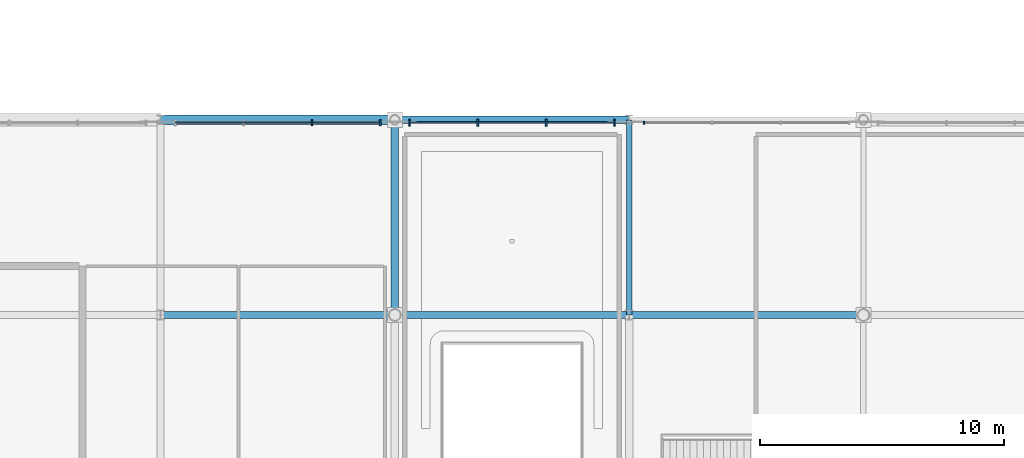
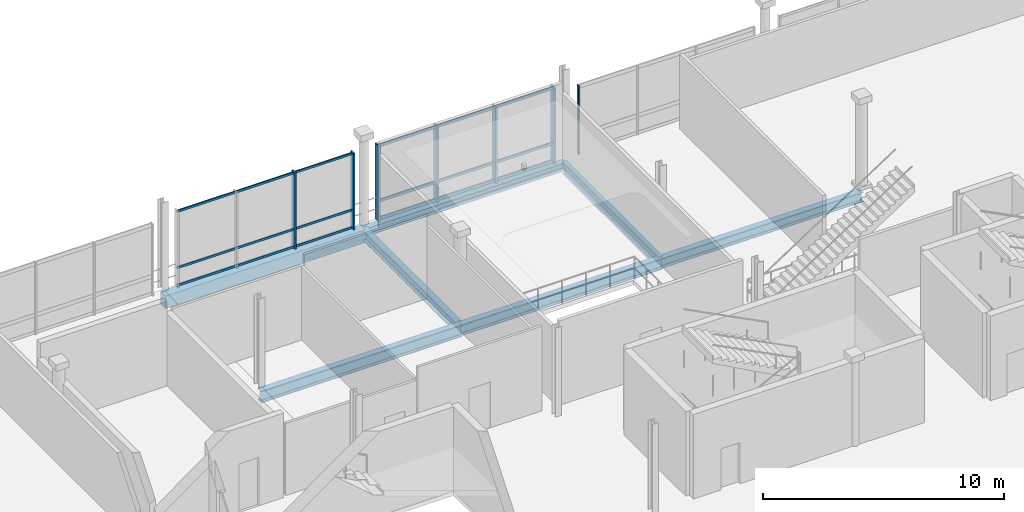
# One storey, part 25 of 59: 13 members, 7 beams, 3 elements without a shape of their own.
"""IFC4 building model written with IfcOpenShell, lengths in metres."""

import ifcopenshell
import ifcopenshell.guid

model = None  # the IFC model being written
_history = None  # IfcOwnerHistory: only IFC2X3 demands one
_inside = {}  # id of a spatial element -> (the spatial element, [elements in it])
_under = {}  # id of a project, library or spatial element -> (it, [spatial elements below it])
_declared = {}  # id of a project -> (the project, [libraries it declares])
_typed = {}  # id of a type object -> (the type object, [elements of that type])
_made_of = {}  # id of a material, layer set ... -> (it, [elements and type objects made of it])


def new_model(schema):
    """Start an empty IFC model of exactly this schema.

    Asked for "IFC4X3", IfcOpenShell would pick the latest addendum, in which some entities
    have other attributes; the version numbers below select the first issue.
    IFC2X3 requires an IfcOwnerHistory on every rooted entity: one is made here for all.
    """
    global model, _history
    if schema == "IFC4X3":
        model = ifcopenshell.file(schema_version=(4, 3, 0, 0))
    else:
        model = ifcopenshell.file(schema=schema)
    _inside.clear()
    _under.clear()
    _declared.clear()
    _typed.clear()
    _made_of.clear()
    _history = None
    if model.schema == "IFC2X3":
        org = make("IfcOrganization", Name="unknown")
        user = make(
            "IfcPersonAndOrganization",
            ThePerson=make("IfcPerson", FamilyName="unknown"),
            TheOrganization=org,
        )
        app = make(
            "IfcApplication",
            ApplicationDeveloper=org,
            Version="unknown",
            ApplicationFullName="unknown",
            ApplicationIdentifier="unknown",
        )
        _history = make(
            "IfcOwnerHistory",
            OwningUser=user,
            OwningApplication=app,
            ChangeAction="ADDED",
            CreationDate=0,
        )
    return model


def make(cls, **values):
    """One entity of the class cls with the attributes given. An attribute that is None is left unset."""
    return model.create_entity(
        cls, **{name: value for name, value in values.items() if value is not None}
    )


def rooted(cls, **values):
    """An entity with a GlobalId (a new one), such as an element, a storey or a relation."""
    return make(cls, GlobalId=ifcopenshell.guid.new(), OwnerHistory=_history, **values)


def si_unit(unit_type, name, prefix=None):
    """IfcSIUnit, for example si_unit("LENGTHUNIT", "METRE", prefix="MILLI")."""
    return make("IfcSIUnit", UnitType=unit_type, Prefix=prefix, Name=name)


def assignment(units):
    """IfcUnitAssignment: the units of a project."""
    return None if units is None else make("IfcUnitAssignment", Units=units)


def point(xyz):
    """IfcCartesianPoint."""
    return None if xyz is None else make("IfcCartesianPoint", Coordinates=xyz)


def direction(xyz):
    """IfcDirection."""
    return None if xyz is None else make("IfcDirection", DirectionRatios=xyz)


def frame(location, z_axis=None, x_axis=None):
    """IfcAxis2Placement3D, a coordinate frame: its origin and axes. An axis left out is left unset."""
    return make(
        "IfcAxis2Placement3D",
        Location=point(location),
        Axis=direction(z_axis),
        RefDirection=direction(x_axis),
    )


def frame_2d(location, x_axis=None):
    """IfcAxis2Placement2D, a coordinate frame in the plane: its origin and x axis."""
    return make(
        "IfcAxis2Placement2D", Location=point(location), RefDirection=direction(x_axis)
    )


def origin():
    """The frame at (0, 0, 0) with its axes left unset."""
    return frame((0.0, 0.0, 0.0))


def origin_2d():
    """The frame at (0, 0) in the plane with its x axis left unset."""
    return frame_2d((0.0, 0.0))


def place(relative_to, where):
    """IfcLocalPlacement: puts the frame where relative to a parent placement (None: the world)."""
    return make(
        "IfcLocalPlacement", PlacementRelTo=relative_to, RelativePlacement=where
    )


def context(
    kind, dimensions, precision=None, world=None, true_north=None, identifier=None
):
    """IfcGeometricRepresentationContext, for example the 3D "Model" context."""
    return make(
        "IfcGeometricRepresentationContext",
        ContextIdentifier=identifier,
        ContextType=kind,
        CoordinateSpaceDimension=dimensions,
        Precision=precision,
        WorldCoordinateSystem=world,
        TrueNorth=true_north,
    )


def subcontext(parent, identifier, kind, view, scale=None):
    """IfcGeometricRepresentationSubContext, for example "Body" below "Model"."""
    return make(
        "IfcGeometricRepresentationSubContext",
        ContextIdentifier=identifier,
        ContextType=kind,
        ParentContext=parent,
        TargetScale=scale,
        TargetView=view,
    )


def project(units=None, contexts=None):
    """IfcProject with its units and contexts."""
    return rooted(
        "IfcProject",
        Name="project",
        RepresentationContexts=contexts,
        UnitsInContext=assignment(units),
    )


def spatial(cls, under=None, at=None, **own):
    """A site, building, storey or space (cls), placed at a placement, below another one or the project."""
    s = rooted(cls, ObjectPlacement=at, **own)
    if under is not None:
        _under.setdefault(under.id(), (under, []))[1].append(s)
    return s


def profile(cls, at=None, kind="AREA", **sizes):
    """A parametric profile (cls). Its sizes go by their IFC names, for example OverallWidth=200.0."""
    return make(cls, ProfileType=kind, Position=at, **sizes)


def rectangle(**sizes):
    """IfcRectangleProfileDef."""
    return profile("IfcRectangleProfileDef", **sizes)


def i_section(**sizes):
    """IfcIShapeProfileDef."""
    return profile("IfcIShapeProfileDef", **sizes)


def extrude(swept, where, along, depth):
    """IfcExtrudedAreaSolid: the profile swept, set in the frame where, extruded along a direction by depth."""
    return make(
        "IfcExtrudedAreaSolid",
        SweptArea=swept,
        Position=where,
        ExtrudedDirection=direction(along),
        Depth=depth,
    )


def shape(context_of_items, identifier, shape_type, items):
    """IfcShapeRepresentation: the items that make up one representation, for example the "Body"."""
    return make(
        "IfcShapeRepresentation",
        ContextOfItems=context_of_items,
        RepresentationIdentifier=identifier,
        RepresentationType=shape_type,
        Items=items,
    )


def material(Name=None, Category=None):
    """IfcMaterial."""
    return make("IfcMaterial", Name=Name, Category=Category)


def material_profile(
    of_material, cross_section, Name=None, Category=None, Priority=None
):
    """IfcMaterialProfile: a cross section and its material."""
    return make(
        "IfcMaterialProfile",
        Name=Name,
        Material=of_material,
        Profile=cross_section,
        Priority=Priority,
        Category=Category,
    )


def profile_set(profiles, Name=None, composite=None):
    """IfcMaterialProfileSet."""
    return make(
        "IfcMaterialProfileSet",
        Name=Name,
        MaterialProfiles=profiles,
        CompositeProfile=composite,
    )


def made_of(thing, what):
    """Note that an element or type object is made of a material, layer set ...; save() writes the relation."""
    if what is not None:
        _made_of.setdefault(what.id(), (what, []))[1].append(thing)
    return thing


def type_object(cls, material=None, **own):
    """A type object (cls), such as IfcWallType, which elements share."""
    return made_of(rooted(cls, **own), material)


def element(
    cls,
    number,
    at=None,
    inside=None,
    cuts=None,
    type_object=None,
    material=None,
    context=None,
    identifier="Body",
    shape_type=None,
    held_by="IfcProductDefinitionShape",
    body=None,
    shapes=None,
    **own,
):
    """One element of the class cls, such as IfcWall. Its Tag is "e" and its number.

    at: its placement. inside: the storey or other place that contains it. cuts: it is an
    opening in that element (IfcRelVoidsElement). A single representation is given by context,
    identifier, shape_type and body (its items); several are given by shapes. held_by: the class
    of the entity that holds the representations. save() writes the other relations.
    """
    e = rooted(cls, Tag="e%d" % number, ObjectPlacement=at, **own)
    if body is not None:
        shapes = [shape(context, identifier, shape_type, body)]
    if shapes is not None:
        e.Representation = make(held_by, Representations=shapes)
    if inside is not None:
        _inside.setdefault(inside.id(), (inside, []))[1].append(e)
    if cuts is not None:
        rooted(
            "IfcRelVoidsElement", RelatingBuildingElement=cuts, RelatedOpeningElement=e
        )
    if type_object is not None:
        _typed.setdefault(type_object.id(), (type_object, []))[1].append(e)
    return made_of(e, material)


def aggregate(whole, parts):
    """IfcRelAggregates: a whole, such as a stair, and the parts it consists of."""
    return rooted("IfcRelAggregates", RelatingObject=whole, RelatedObjects=parts)


def save(model, path):
    """Write the relations noted so far, then the file.

    IfcRelAggregates (storeys below a building ...), IfcRelContainedInSpatialStructure (elements
    in a storey), IfcRelDefinesByType, IfcRelAssociatesMaterial and IfcRelDeclares: one each for
    every whole, place, type object, material and project.
    """
    for whole, parts in _under.values():
        aggregate(whole, parts)
    for where, things in _inside.values():
        rooted(
            "IfcRelContainedInSpatialStructure",
            RelatedElements=things,
            RelatingStructure=where,
        )
    for kind, things in _typed.values():
        rooted("IfcRelDefinesByType", RelatedObjects=things, RelatingType=kind)
    for what, things in _made_of.values():
        rooted("IfcRelAssociatesMaterial", RelatedObjects=things, RelatingMaterial=what)
    for by, libraries in _declared.values():
        rooted("IfcRelDeclares", RelatingContext=by, RelatedDefinitions=libraries)
    model.write(path)


model = new_model("IFC4")

# Units and contexts
model_context = context("Model", 3, precision=1e-05, world=origin(), true_north=direction((0.0, 1.0)))
body_context = subcontext(model_context, "Body", "Model", "MODEL_VIEW")
ifc_project = project(units=[si_unit("LENGTHUNIT", "METRE"), si_unit("AREAUNIT", "SQUARE_METRE"), si_unit("VOLUMEUNIT", "CUBIC_METRE"), si_unit("PLANEANGLEUNIT", "RADIAN"), si_unit("MASSUNIT", "GRAM", prefix="KILO")], contexts=[model_context])

# Site, building, storey
site_placement = place(None, origin())
site = spatial("IfcSite", under=ifc_project, at=site_placement, CompositionType="ELEMENT")
building_placement = place(site_placement, origin())
building = spatial("IfcBuilding", under=site, at=building_placement, Name="Danafjord Basin Convention Centre", CompositionType="ELEMENT")
storey_placement = place(building_placement, frame((0.0, 0.0, 15.89990234375)))
storey = spatial("IfcBuildingStorey", under=building, at=storey_placement, Name="L03", CompositionType="ELEMENT", Elevation=15.89990234375)

# Beams
ifc_material_1 = material(Name="Steel S355", Category="steel")
ifc_material_profile_1 = material_profile(ifc_material_1, i_section(OverallWidth=0.300048828125, OverallDepth=0.5, WebThickness=0.014404296875, FlangeThickness=0.028076171875, FilletRadius=0.027099609375, at=origin_2d()), Name="HEB 500")
ifc_profile_set_1 = profile_set([ifc_material_profile_1], Name="Steel S355")
beam_type_1 = type_object("IfcBeamType", Name="BEAM-BM-HEB500", PredefinedType="BEAM", material=ifc_profile_set_1)
beam_1_placement = place(storey_placement, frame((76.800048828125, 32.0, -0.47998046875), z_axis=(1.0, 0.0, 0.0), x_axis=(0.0, 1.0, 0.0)))
element("IfcBeam", 1, at=beam_1_placement, inside=storey, type_object=beam_type_1, Name="L03 girder BM-HEB500", PredefinedType="BEAM", context=body_context, shape_type="SweptSolid", body=[
    extrude(i_section(OverallWidth=0.300048828125, OverallDepth=0.5, WebThickness=0.014404296875, FlangeThickness=0.028076171875, FilletRadius=0.027099609375, at=origin_2d()), origin(), (0.0, 0.0, 1.0), 9.599853515625),
])
beam_2_placement = place(storey_placement, frame((67.199951171875, 32.0, -0.47998046875), z_axis=(0.0, 1.0, 0.0), x_axis=(-1.0, 0.0, 0.0)))
element("IfcBeam", 2, at=beam_2_placement, inside=storey, type_object=beam_type_1, Name="L03 transverse girder BM-HEB500", PredefinedType="BEAM", context=body_context, shape_type="SweptSolid", body=[
    extrude(i_section(OverallWidth=0.300048828125, OverallDepth=0.5, WebThickness=0.014404296875, FlangeThickness=0.028076171875, FilletRadius=0.027099609375, at=origin_2d()), origin(), (0.0, 0.0, 1.0), 8.0),
])
ifc_material_profile_2 = material_profile(ifc_material_1, i_section(OverallWidth=0.300048828125, OverallDepth=0.550048828125, WebThickness=0.014892578125, FlangeThickness=0.029052734375, FilletRadius=0.027099609375, at=origin_2d()), Name="HEB 550")
ifc_profile_set_2 = profile_set([ifc_material_profile_2], Name="Steel S355")
beam_type_2 = type_object("IfcBeamType", Name="BEAM-BM-HEB550", PredefinedType="BEAM", material=ifc_profile_set_2)
beam_3_placement = place(storey_placement, frame((67.199951171875, 32.0, -0.5048828125), z_axis=(1.0, 0.0, 0.0), x_axis=(0.0, 1.0, 0.0)))
element("IfcBeam", 3, at=beam_3_placement, inside=storey, type_object=beam_type_2, Name="L03 girder BM-HEB550", PredefinedType="BEAM", context=body_context, shape_type="SweptSolid", body=[
    extrude(i_section(OverallWidth=0.300048828125, OverallDepth=0.550048828125, WebThickness=0.014892578125, FlangeThickness=0.029052734375, FilletRadius=0.027099609375, at=origin_2d()), origin(), (0.0, 0.0, 1.0), 9.60009765625),
])
ifc_material_profile_3 = material_profile(ifc_material_1, i_section(OverallWidth=0.300048828125, OverallDepth=0.60009765625, WebThickness=0.015380859375, FlangeThickness=0.030029296875, FilletRadius=0.027099609375, at=origin_2d()), Name="HEB 600")
ifc_profile_set_3 = profile_set([ifc_material_profile_3], Name="Steel S355")
beam_type_3 = type_object("IfcBeamType", Name="BEAM-BM-HEB600", PredefinedType="BEAM", material=ifc_profile_set_3)
beam_4_placement = place(storey_placement, frame((57.60009765625, 32.0, -0.52978515625), z_axis=(1.0, 0.0, 0.0), x_axis=(0.0, 1.0, 0.0)))
element("IfcBeam", 4, at=beam_4_placement, inside=storey, type_object=beam_type_3, Name="L03 girder BM-HEB600", PredefinedType="BEAM", context=body_context, shape_type="SweptSolid", body=[
    extrude(i_section(OverallWidth=0.300048828125, OverallDepth=0.60009765625, WebThickness=0.015380859375, FlangeThickness=0.030029296875, FilletRadius=0.027099609375, at=origin_2d()), origin(), (0.0, 0.0, 1.0), 9.599853515625),
])
ifc_material_profile_4 = material_profile(ifc_material_1, i_section(OverallWidth=0.219970703125, OverallDepth=0.60009765625, WebThickness=0.011962890625, FlangeThickness=0.01904296875, FilletRadius=0.02392578125, at=origin_2d()), Name="IPE 600")
ifc_profile_set_4 = profile_set([ifc_material_profile_4], Name="Steel S355")
beam_type_4 = type_object("IfcBeamType", Name="BEAM-BM-IPE600", PredefinedType="BEAM", material=ifc_profile_set_4)
beam_5_placement = place(storey_placement, frame((76.800048828125, 32.0, -0.52978515625), z_axis=(0.0, 1.0, 0.0), x_axis=(-1.0, 0.0, 0.0)))
element("IfcBeam", 5, at=beam_5_placement, inside=storey, type_object=beam_type_4, Name="L03 transverse girder BM-IPE600", PredefinedType="BEAM", context=body_context, shape_type="SweptSolid", body=[
    extrude(i_section(OverallWidth=0.219970703125, OverallDepth=0.60009765625, WebThickness=0.011962890625, FlangeThickness=0.01904296875, FilletRadius=0.02392578125, at=origin_2d()), origin(), (0.0, 0.0, 1.0), 8.0),
])
ifc_material_profile_5 = material_profile(ifc_material_1, i_section(OverallWidth=0.300048828125, OverallDepth=0.39990234375, WebThickness=0.013427734375, FlangeThickness=0.02392578125, FilletRadius=0.027099609375, at=origin_2d()), Name="HEB 400")
ifc_profile_set_5 = profile_set([ifc_material_profile_5], Name="Steel S355")
beam_type_5 = type_object("IfcBeamType", Name="BEAM-SP-HEB400", PredefinedType="SPANDREL", material=ifc_profile_set_5)
beam_6_placement = place(storey_placement, frame((67.199951171875, 40.0, -0.429931640625), z_axis=(1.0, 0.0, 0.0), x_axis=(0.0, 1.0, 0.0)))
element("IfcBeam", 6, at=beam_6_placement, inside=storey, type_object=beam_type_5, Name="L03 girder SP-HEB400", PredefinedType="SPANDREL", context=body_context, shape_type="SweptSolid", body=[
    extrude(i_section(OverallWidth=0.300048828125, OverallDepth=0.39990234375, WebThickness=0.013427734375, FlangeThickness=0.02392578125, FilletRadius=0.027099609375, at=origin_2d()), origin(), (0.0, 0.0, 1.0), 9.60009765625),
])
ifc_material_2 = material(Name="Precast concrete C45/55", Category="concrete")
ifc_material_profile_6 = material_profile(ifc_material_2, rectangle(XDim=0.39990234375, YDim=0.64990234375, at=origin_2d()), Name="PCB 400x650")
ifc_profile_set_6 = profile_set([ifc_material_profile_6], Name="Precast concrete C45/55")
beam_type_6 = type_object("IfcBeamType", Name="BEAM-SP-PCB650", PredefinedType="SPANDREL", material=ifc_profile_set_6)
beam_7_placement = place(storey_placement, frame((57.60009765625, 40.0, -0.554931640625), z_axis=(1.0, 0.0, 0.0), x_axis=(0.0, 1.0, 0.0)))
element("IfcBeam", 7, at=beam_7_placement, inside=storey, type_object=beam_type_6, Name="L03 girder SP-PCB650", PredefinedType="SPANDREL", context=body_context, shape_type="SweptSolid", body=[
    extrude(rectangle(XDim=0.39990234375, YDim=0.64990234375, at=origin_2d()), origin(), (0.0, 0.0, 1.0), 9.599853515625),
])

# Curtain wall, member
ifc_material_3 = material(Name="Anodised aluminium and triple glazing", Category="aluminium")
curtain_wall_type = type_object("IfcCurtainWallType", Name="CW-CW-TERR", PredefinedType="NOTDEFINED", material=ifc_material_3)
curtain_wall_1_placement = place(storey_placement, origin())
curtain_wall_1 = element("IfcCurtainWall", 8, at=curtain_wall_1_placement, inside=storey, type_object=curtain_wall_type, Name="L03 CW-TERR unitised curtain wall bay 80", PredefinedType="NOTDEFINED")
ifc_material_4 = material(Name="Anodised aluminium EN AW-6060", Category="aluminium")
ifc_material_profile_7 = material_profile(ifc_material_4, rectangle(XDim=0.06005859375, YDim=0.139892578125, at=origin_2d()), Name="MULL 60x140")
ifc_profile_set_7 = profile_set([ifc_material_profile_7], Name="Anodised aluminium EN AW-6060")
member_type_1 = type_object("IfcMemberType", Name="MEM-ML-140", PredefinedType="MULLION", material=ifc_profile_set_7)
member_1_placement = place(storey_placement, frame((77.39990234375, 39.8798828125, -0.02490234375), z_axis=(0.0, 0.0, 1.0), x_axis=(-1.0, 0.0, 0.0)))
member_1 = element("IfcMember", 9, at=member_1_placement, type_object=member_type_1, Name="CW-L03-080 mullion 4", PredefinedType="MULLION", context=body_context, shape_type="SweptSolid", body=[
    extrude(rectangle(XDim=0.06005859375, YDim=0.139892578125, at=origin_2d()), origin(), (0.0, 0.0, 1.0), 3.490966796875),
])
aggregate(curtain_wall_1, [member_1])

# Curtain wall, members
curtain_wall_2_placement = place(storey_placement, origin())
curtain_wall_2 = element("IfcCurtainWall", 10, at=curtain_wall_2_placement, inside=storey, type_object=curtain_wall_type, Name="L03 CW-TERR unitised curtain wall bay 78", PredefinedType="NOTDEFINED")
ifc_material_profile_8 = material_profile(ifc_material_4, rectangle(XDim=0.070068359375, YDim=0.260009765625, at=origin_2d()), Name="MULL 70x260")
ifc_profile_set_8 = profile_set([ifc_material_profile_8], Name="Anodised aluminium EN AW-6060")
member_type_2 = type_object("IfcMemberType", Name="MEM-ML-260", PredefinedType="MULLION", material=ifc_profile_set_8)
member_2_placement = place(storey_placement, frame((66.60009765625, 39.8798828125, -0.02490234375), z_axis=(0.0, 0.0, 1.0), x_axis=(-1.0, 0.0, 0.0)))
member_2 = element("IfcMember", 11, at=member_2_placement, type_object=member_type_2, Name="CW-L03-078 mullion 1", PredefinedType="MULLION", context=body_context, shape_type="SweptSolid", body=[
    extrude(rectangle(XDim=0.070068359375, YDim=0.260009765625, at=origin_2d()), origin(), (0.0, 0.0, 1.0), 3.89111328125),
])
member_3_placement = place(storey_placement, frame((63.800048828125, 39.8798828125, -0.02490234375), z_axis=(0.0, 0.0, 1.0), x_axis=(-1.0, 0.0, 0.0)))
member_3 = element("IfcMember", 12, at=member_3_placement, type_object=member_type_2, Name="CW-L03-078 mullion 2", PredefinedType="MULLION", context=body_context, shape_type="SweptSolid", body=[
    extrude(rectangle(XDim=0.070068359375, YDim=0.260009765625, at=origin_2d()), origin(), (0.0, 0.0, 1.0), 3.89111328125),
])

curtain_wall_3_placement = place(storey_placement, origin())
curtain_wall_3 = element("IfcCurtainWall", 13, at=curtain_wall_3_placement, inside=storey, type_object=curtain_wall_type, Name="L03 CW-TERR unitised curtain wall bay 79", PredefinedType="NOTDEFINED")
ifc_material_profile_9 = material_profile(ifc_material_4, rectangle(XDim=0.080078125, YDim=0.300048828125, at=origin_2d()), Name="MULL 80x300")
ifc_profile_set_9 = profile_set([ifc_material_profile_9], Name="Anodised aluminium EN AW-6060")
member_type_3 = type_object("IfcMemberType", Name="MEM-ML-300", PredefinedType="MULLION", material=ifc_profile_set_9)
member_4_placement = place(storey_placement, frame((76.199951171875, 39.8798828125, -0.02490234375), z_axis=(0.0, 0.0, 1.0), x_axis=(-1.0, 0.0, 0.0)))
member_4 = element("IfcMember", 14, at=member_4_placement, type_object=member_type_3, Name="CW-L03-079 mullion 1", PredefinedType="MULLION", context=body_context, shape_type="SweptSolid", body=[
    extrude(rectangle(XDim=0.080078125, YDim=0.300048828125, at=origin_2d()), origin(), (0.0, 0.0, 1.0), 3.841064453125),
])
member_5_placement = place(storey_placement, frame((73.39990234375, 39.8798828125, -0.02490234375), z_axis=(0.0, 0.0, 1.0), x_axis=(-1.0, 0.0, 0.0)))
member_5 = element("IfcMember", 15, at=member_5_placement, type_object=member_type_3, Name="CW-L03-079 mullion 2", PredefinedType="MULLION", context=body_context, shape_type="SweptSolid", body=[
    extrude(rectangle(XDim=0.080078125, YDim=0.300048828125, at=origin_2d()), origin(), (0.0, 0.0, 1.0), 3.841064453125),
])
member_6_placement = place(storey_placement, frame((70.60009765625, 39.8798828125, -0.02490234375), z_axis=(0.0, 0.0, 1.0), x_axis=(-1.0, 0.0, 0.0)))
member_6 = element("IfcMember", 16, at=member_6_placement, type_object=member_type_3, Name="CW-L03-079 mullion 3", PredefinedType="MULLION", context=body_context, shape_type="SweptSolid", body=[
    extrude(rectangle(XDim=0.080078125, YDim=0.300048828125, at=origin_2d()), origin(), (0.0, 0.0, 1.0), 3.841064453125),
])
member_7_placement = place(storey_placement, frame((67.800048828125, 39.8798828125, -0.02490234375), z_axis=(0.0, 0.0, 1.0), x_axis=(-1.0, 0.0, 0.0)))
member_7 = element("IfcMember", 17, at=member_7_placement, type_object=member_type_3, Name="CW-L03-079 mullion 4", PredefinedType="MULLION", context=body_context, shape_type="SweptSolid", body=[
    extrude(rectangle(XDim=0.080078125, YDim=0.300048828125, at=origin_2d()), origin(), (0.0, 0.0, 1.0), 3.841064453125),
])

# Member
ifc_material_profile_10 = material_profile(ifc_material_4, rectangle(XDim=0.06005859375, YDim=0.110107421875, at=origin_2d()), Name="TRAN 60x110")
ifc_profile_set_10 = profile_set([ifc_material_profile_10], Name="Anodised aluminium EN AW-6060")
member_type_4 = type_object("IfcMemberType", Name="MEM-TR-110", PredefinedType="USERDEFINED", material=ifc_profile_set_10)
member_8_placement = place(storey_placement, frame((66.60009765625, 39.8798828125, 0.06005859375), z_axis=(-1.0, 0.0, 0.0), x_axis=(0.0, -1.0, 0.0)))
member_8 = element("IfcMember", 18, at=member_8_placement, type_object=member_type_4, Name="CW-L03-078 transom 1", ObjectType="TRANSOM", PredefinedType="USERDEFINED", context=body_context, shape_type="SweptSolid", body=[
    extrude(rectangle(XDim=0.06005859375, YDim=0.110107421875, at=origin_2d()), origin(), (0.0, 0.0, 1.0), 8.400146484375),
])

member_9_placement = place(storey_placement, frame((66.60009765625, 39.8798828125, 0.9501953125), z_axis=(-1.0, 0.0, 0.0), x_axis=(0.0, -1.0, 0.0)))
member_9 = element("IfcMember", 19, at=member_9_placement, type_object=member_type_4, Name="CW-L03-078 transom 2", ObjectType="TRANSOM", PredefinedType="USERDEFINED", context=body_context, shape_type="SweptSolid", body=[
    extrude(rectangle(XDim=0.06005859375, YDim=0.110107421875, at=origin_2d()), origin(), (0.0, 0.0, 1.0), 8.400146484375),
])

member_10_placement = place(storey_placement, frame((66.60009765625, 39.8798828125, 3.796142578125), z_axis=(-1.0, 0.0, 0.0), x_axis=(0.0, -1.0, 0.0)))
member_10 = element("IfcMember", 20, at=member_10_placement, type_object=member_type_4, Name="CW-L03-078 transom 3", ObjectType="TRANSOM", PredefinedType="USERDEFINED", context=body_context, shape_type="SweptSolid", body=[
    extrude(rectangle(XDim=0.06005859375, YDim=0.110107421875, at=origin_2d()), origin(), (0.0, 0.0, 1.0), 8.400146484375),
])

aggregate(curtain_wall_2, [member_2, member_3, member_8, member_9, member_10])

ifc_material_profile_11 = material_profile(ifc_material_4, rectangle(XDim=0.06005859375, YDim=0.14990234375, at=origin_2d()), Name="TRAN 60x150")
ifc_profile_set_11 = profile_set([ifc_material_profile_11], Name="Anodised aluminium EN AW-6060")
member_type_5 = type_object("IfcMemberType", Name="MEM-TR-150", PredefinedType="USERDEFINED", material=ifc_profile_set_11)
member_11_placement = place(storey_placement, frame((76.199951171875, 39.8798828125, 0.06005859375), z_axis=(-1.0, 0.0, 0.0), x_axis=(0.0, -1.0, 0.0)))
member_11 = element("IfcMember", 21, at=member_11_placement, type_object=member_type_5, Name="CW-L03-079 transom 1", ObjectType="TRANSOM", PredefinedType="USERDEFINED", context=body_context, shape_type="SweptSolid", body=[
    extrude(rectangle(XDim=0.06005859375, YDim=0.14990234375, at=origin_2d()), origin(), (0.0, 0.0, 1.0), 8.39990234375),
])

member_12_placement = place(storey_placement, frame((76.199951171875, 39.8798828125, 0.9501953125), z_axis=(-1.0, 0.0, 0.0), x_axis=(0.0, -1.0, 0.0)))
member_12 = element("IfcMember", 22, at=member_12_placement, type_object=member_type_5, Name="CW-L03-079 transom 2", ObjectType="TRANSOM", PredefinedType="USERDEFINED", context=body_context, shape_type="SweptSolid", body=[
    extrude(rectangle(XDim=0.06005859375, YDim=0.14990234375, at=origin_2d()), origin(), (0.0, 0.0, 1.0), 8.39990234375),
])

member_13_placement = place(storey_placement, frame((76.199951171875, 39.8798828125, 3.74609375), z_axis=(-1.0, 0.0, 0.0), x_axis=(0.0, -1.0, 0.0)))
member_13 = element("IfcMember", 23, at=member_13_placement, type_object=member_type_5, Name="CW-L03-079 transom 3", ObjectType="TRANSOM", PredefinedType="USERDEFINED", context=body_context, shape_type="SweptSolid", body=[
    extrude(rectangle(XDim=0.06005859375, YDim=0.14990234375, at=origin_2d()), origin(), (0.0, 0.0, 1.0), 8.39990234375),
])

aggregate(curtain_wall_3, [member_4, member_5, member_6, member_7, member_11, member_12, member_13])

save(model, "model.ifc")
